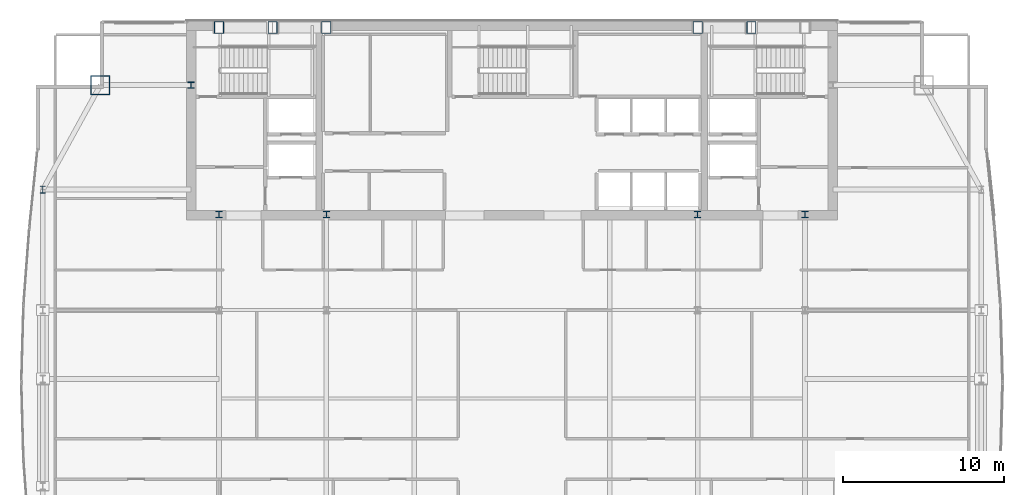
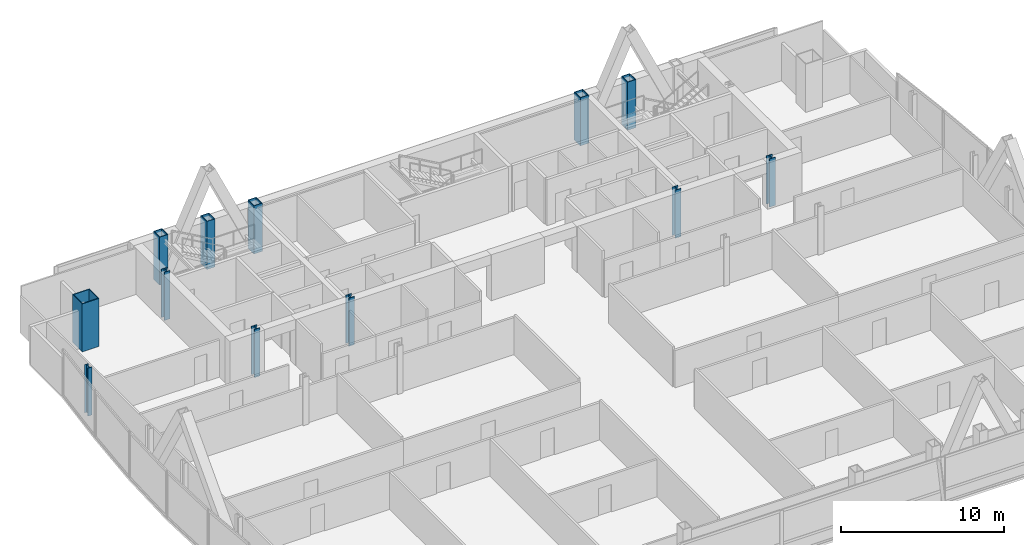
# One storey, part 3 of 32: 12 columns.
"""IFC4 building model written with IfcOpenShell, lengths in metres."""

from ifc_helpers import new_model, si_unit, direction, frame, origin, origin_2d, place, context, subcontext, project, spatial, hollow_rectangle, i_section, extrude, material, material_profile, profile_set, type_object, element, save


model = new_model("IFC4")

# Units and contexts
model_context = context("Model", 3, precision=1e-05, world=origin(), true_north=direction((0.0, 1.0)))
body_context = subcontext(model_context, "Body", "Model", "MODEL_VIEW")
ifc_project = project(units=[si_unit("LENGTHUNIT", "METRE"), si_unit("AREAUNIT", "SQUARE_METRE"), si_unit("VOLUMEUNIT", "CUBIC_METRE"), si_unit("PLANEANGLEUNIT", "RADIAN"), si_unit("MASSUNIT", "GRAM", prefix="KILO")], contexts=[model_context])

# Site, building, storey
site_placement = place(None, origin())
site = spatial("IfcSite", under=ifc_project, at=site_placement, CompositionType="ELEMENT")
building_placement = place(site_placement, origin())
building = spatial("IfcBuilding", under=site, at=building_placement, Name="Khoronbel Lancet Exchange", CompositionType="ELEMENT")
storey_placement = place(building_placement, frame((0.0, 0.0, 231.800048828125)))
storey = spatial("IfcBuildingStorey", under=building, at=storey_placement, Name="L59", CompositionType="ELEMENT", Elevation=231.800048828125)

# Columns
ifc_material_1 = material(Name="Steel S460", Category="steel")
ifc_material_profile_1 = material_profile(ifc_material_1, hollow_rectangle(XDim=0.60009765625, YDim=0.75, WallThickness=0.044921875, at=origin_2d()), Name="BOX 750x600x45")
ifc_profile_set_1 = profile_set([ifc_material_profile_1], Name="Steel S460")
column_type_1 = type_object("IfcColumnType", Name="COL-EC3", PredefinedType="COLUMN", material=ifc_profile_set_1)
for number, where, z_axis, x_axis, name in (
    (1, (18.22509765625, 53.280029296875, 0.0), (0.0, 0.0, 1.0), (1.0, 0.0, 0.0), "Structural column NC-W1 L59"),
    (2, (21.5625, 53.280029296875, 0.0), (0.0, 0.0, 1.0), (1.0, 0.0, 0.0), "Structural column NC-WM L59"),
    (3, (24.89990234375, 53.280029296875, 0.0), (0.0, 0.0, 1.0), (1.0, 0.0, 0.0), "Structural column NC-W2 L59"),
    (4, (48.0, 53.280029296875, 0.0), (0.0, 0.0, 1.0), (1.0, 0.0, 0.0), "Structural column NC-E1 L59"),
    (5, (51.33740234375, 53.280029296875, 0.0), (0.0, 0.0, 1.0), (1.0, 0.0, 0.0), "Structural column NC-EM L59"),
):
    element("IfcColumn", number, at=place(storey_placement, frame(where, z_axis=z_axis, x_axis=x_axis)), inside=storey, type_object=column_type_1, Name=name, PredefinedType="COLUMN", context=body_context, shape_type="SweptSolid", body=[
        extrude(hollow_rectangle(XDim=0.60009765625, YDim=0.75, WallThickness=0.044921875, at=origin_2d()), origin(), (0.0, 0.0, 1.0), 3.599853515625),
    ])
ifc_material_2 = material(Name="Steel S355", Category="steel")
ifc_material_profile_2 = material_profile(ifc_material_2, i_section(OverallWidth=0.406005859375, OverallDepth=0.416015625, WebThickness=0.02978515625, FlangeThickness=0.048095703125, at=origin_2d()), Name="HD 400x382")
ifc_profile_set_2 = profile_set([ifc_material_profile_2], Name="Steel S355")
column_type_2 = type_object("IfcColumnType", Name="COL-IC3", PredefinedType="COLUMN", material=ifc_profile_set_2)
for number, where, z_axis, x_axis, name in (
    (6, (16.5, 49.699951171875, 0.0), (0.0, 0.0, 1.0), (1.0, 0.0, 0.0), "Core-flank plumb transfer column CFW L59"),
    (7, (18.22509765625, 41.64990234375, 0.0), (0.0, 0.0, 1.0), (1.0, 0.0, 0.0), "Core-embedded steel column CTC1 L59"),
    (8, (24.89990234375, 41.64990234375, 0.0), (0.0, 0.0, 1.0), (1.0, 0.0, 0.0), "Core-embedded steel column CTC2 L59"),
    (9, (48.0, 41.64990234375, 0.0), (0.0, 0.0, 1.0), (1.0, 0.0, 0.0), "Core-embedded steel column CTC3 L59"),
    (10, (54.675048828125, 41.64990234375, 0.0), (0.0, 0.0, 1.0), (1.0, 0.0, 0.0), "Core-embedded steel column CTC4 L59"),
):
    element("IfcColumn", number, at=place(storey_placement, frame(where, z_axis=z_axis, x_axis=x_axis)), inside=storey, type_object=column_type_2, Name=name, PredefinedType="COLUMN", context=body_context, shape_type="SweptSolid", body=[
        extrude(i_section(OverallWidth=0.406005859375, OverallDepth=0.416015625, WebThickness=0.02978515625, FlangeThickness=0.048095703125, at=origin_2d()), origin(), (0.0, 0.0, 1.0), 3.599853515625),
    ])
ifc_material_profile_3 = material_profile(ifc_material_2, i_section(OverallWidth=0.300048828125, OverallDepth=0.449951171875, WebThickness=0.013916015625, FlangeThickness=0.02587890625, at=origin_2d()), Name="HEB 450")
ifc_profile_set_3 = profile_set([ifc_material_profile_3], Name="Steel S355")
column_type_3 = type_object("IfcColumnType", Name="COL-LC2", PredefinedType="COLUMN", material=ifc_profile_set_3)
column_1_placement = place(storey_placement, frame((7.27001953125, 43.199951171875, 0.0), z_axis=(0.0, 0.0, 1.0), x_axis=(1.0, 0.0, 0.0)))
element("IfcColumn", 11, at=column_1_placement, inside=storey, type_object=column_type_3, Name="Structural column WC-4 L59", PredefinedType="COLUMN", context=body_context, shape_type="SweptSolid", body=[
    extrude(i_section(OverallWidth=0.300048828125, OverallDepth=0.449951171875, WebThickness=0.013916015625, FlangeThickness=0.02587890625, at=origin_2d()), origin(), (0.0, 0.0, 1.0), 3.599853515625),
])
ifc_material_profile_4 = material_profile(ifc_material_1, hollow_rectangle(XDim=1.199951171875, YDim=1.199951171875, WallThickness=0.06005859375, at=origin_2d()), Name="BOX 1200x1200x60")
ifc_profile_set_4 = profile_set([ifc_material_profile_4], Name="Steel S460")
column_type_4 = type_object("IfcColumnType", Name="COL-MC5", PredefinedType="COLUMN", material=ifc_profile_set_4)
column_2_placement = place(storey_placement, frame((10.85009765625, 49.699951171875, 0.0), z_axis=(0.0, 0.0, 1.0), x_axis=(1.0, 0.0, 0.0)))
element("IfcColumn", 12, at=column_2_placement, inside=storey, type_object=column_type_4, Name="Structural column MC-NW L59", PredefinedType="COLUMN", context=body_context, shape_type="SweptSolid", body=[
    extrude(hollow_rectangle(XDim=1.199951171875, YDim=1.199951171875, WallThickness=0.06005859375, at=origin_2d()), origin(), (0.0, 0.0, 1.0), 3.599853515625),
])

save(model, "model.ifc")
